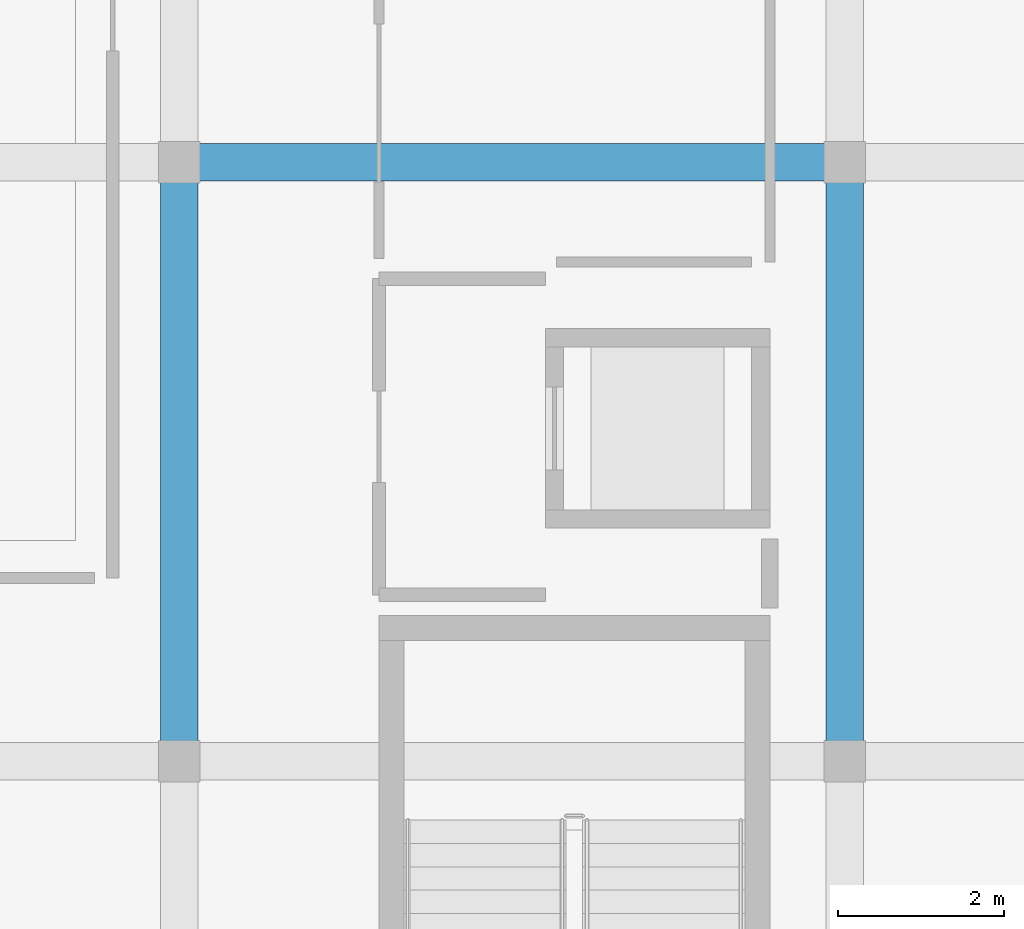
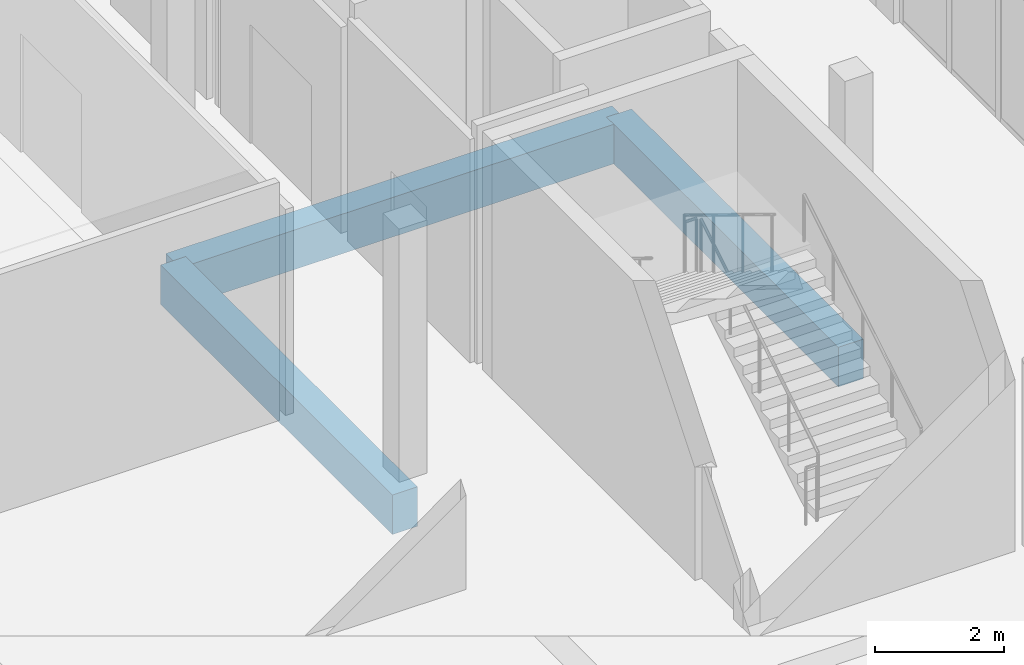
# One storey, part 20 of 151: 3 beams.
"""IFC4 building model written with IfcOpenShell, lengths in metres."""

from ifc_helpers import new_model, si_unit, direction, frame, origin, origin_2d, place, context, subcontext, project, spatial, rectangle, extrude, material, material_profile, profile_set, type_object, element, save


model = new_model("IFC4")

# Units and contexts
model_context = context("Model", 3, precision=1e-05, world=origin(), true_north=direction((0.0, 1.0)))
body_context = subcontext(model_context, "Body", "Model", "MODEL_VIEW")
ifc_project = project(units=[si_unit("LENGTHUNIT", "METRE"), si_unit("AREAUNIT", "SQUARE_METRE"), si_unit("VOLUMEUNIT", "CUBIC_METRE"), si_unit("PLANEANGLEUNIT", "RADIAN"), si_unit("MASSUNIT", "GRAM", prefix="KILO")], contexts=[model_context])

# Site, building, storey
site_placement = place(None, origin())
site = spatial("IfcSite", under=ifc_project, at=site_placement, CompositionType="ELEMENT")
building_placement = place(site_placement, origin())
building = spatial("IfcBuilding", under=site, at=building_placement, Name="Chiffa Square Polytechnic", CompositionType="ELEMENT")
storey_placement = place(building_placement, origin())
storey = spatial("IfcBuildingStorey", under=building, at=storey_placement, Name="L00", CompositionType="ELEMENT", Elevation=0.0)

# Beams
ifc_material = material(Name="Concrete C35/45", Category="concrete")
ifc_material_profile = material_profile(ifc_material, rectangle(XDim=0.449951171875, YDim=0.75, at=origin_2d()), Name="RC 450x750")
ifc_profile_set = profile_set([ifc_material_profile], Name="Concrete C35/45")
beam_type = type_object("IfcBeamType", Name="GB-RC-450X750", PredefinedType="BEAM", material=ifc_profile_set)
beam_placement = place(storey_placement, frame((32.0, 28.800048828125, -0.77490234375), z_axis=(1.0, 0.0, 0.0), x_axis=(0.0, 1.0, 0.0)))
element("IfcBeam", 1, at=beam_placement, inside=storey, type_object=beam_type, Name="Ground tie beam GB-V3-X-064", PredefinedType="BEAM", context=body_context, shape_type="SweptSolid", body=[
    extrude(rectangle(XDim=0.449951171875, YDim=0.75, at=origin_2d()), origin(), (0.0, 0.0, 1.0), 8.0),
])
for number, where, z_axis, x_axis, name in (
    (2, (32.0, 21.60009765625, -0.77490234375), (0.0, 1.0, 0.0), (-1.0, 0.0, 0.0), "Ground tie beam GB-V3-Y-085"),
    (3, (40.0, 21.60009765625, -0.77490234375), (0.0, 1.0, 0.0), (-1.0, 0.0, 0.0), "Ground tie beam GB-V3-Y-090"),
):
    element("IfcBeam", number, at=place(storey_placement, frame(where, z_axis=z_axis, x_axis=x_axis)), inside=storey, type_object=beam_type, Name=name, PredefinedType="BEAM", context=body_context, shape_type="SweptSolid", body=[
        extrude(rectangle(XDim=0.449951171875, YDim=0.75, at=origin_2d()), origin(), (0.0, 0.0, 1.0), 7.199951171875),
    ])

save(model, "model.ifc")
